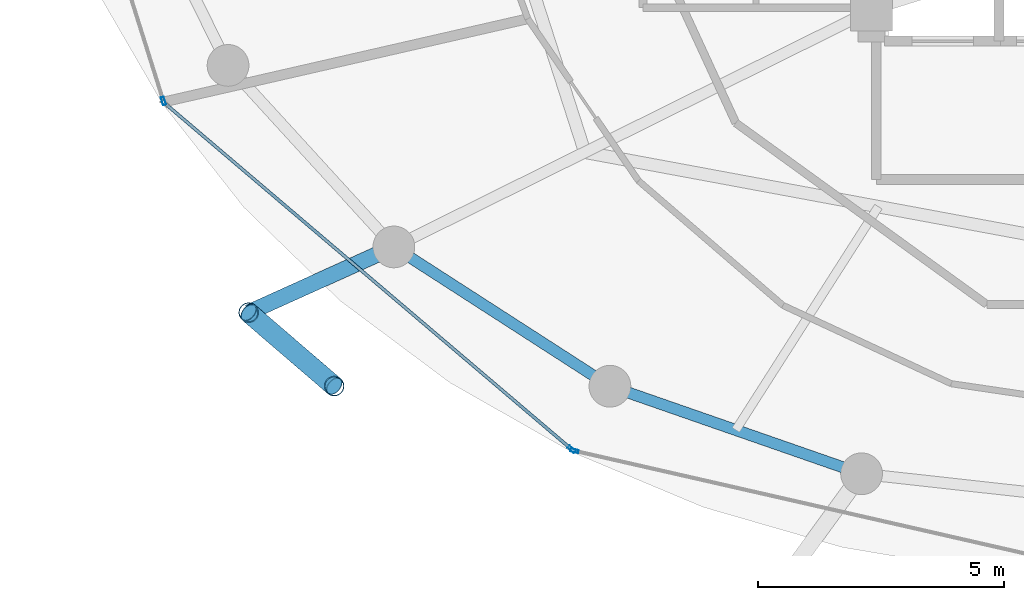
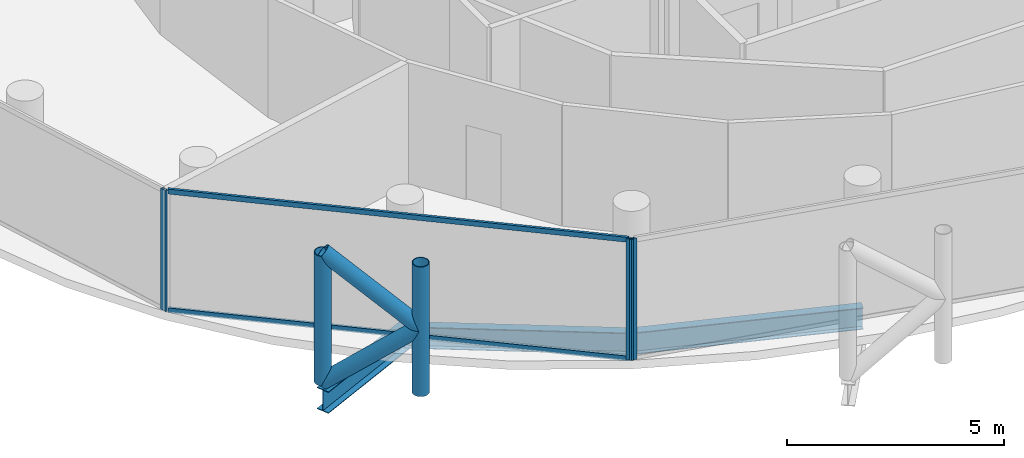
# One storey, part 2 of 27: 9 members, 3 beams, 3 elements without a shape of their own.
"""IFC4 building model written with IfcOpenShell, lengths in metres."""

from ifc_helpers import new_model, si_unit, direction, frame, origin, origin_2d, place, context, subcontext, project, spatial, hollow_rectangle, hollow_circle, i_section, extrude, material, layer, layer_set, material_profile, profile_set, type_object, element, aggregate, save


model = new_model("IFC4")

# Units and contexts
model_context = context("Model", 3, precision=1e-05, world=origin(), true_north=direction((0.0, 1.0)))
body_context = subcontext(model_context, "Body", "Model", "MODEL_VIEW")
ifc_project = project(units=[si_unit("LENGTHUNIT", "METRE"), si_unit("AREAUNIT", "SQUARE_METRE"), si_unit("VOLUMEUNIT", "CUBIC_METRE"), si_unit("PLANEANGLEUNIT", "RADIAN"), si_unit("MASSUNIT", "GRAM", prefix="KILO")], contexts=[model_context])

# Site, building, storey
site_placement = place(None, origin())
site = spatial("IfcSite", under=ifc_project, at=site_placement, CompositionType="ELEMENT")
building_placement = place(site_placement, origin())
building = spatial("IfcBuilding", under=site, at=building_placement, Name="Nuhasar Tower", CompositionType="ELEMENT")
storey_placement = place(building_placement, frame((0.0, 0.0, 211.800048828125)))
storey = spatial("IfcBuildingStorey", under=building, at=storey_placement, Name="L51", CompositionType="ELEMENT", Elevation=211.800048828125)

# Beams
ifc_material_1 = material(Name="Steel S355", Category="steel")
ifc_material_profile_1 = material_profile(ifc_material_1, i_section(OverallWidth=0.22802734375, OverallDepth=0.60791015625, WebThickness=0.01123046875, FlangeThickness=0.017333984375, at=origin_2d()), Name="W24X76")
ifc_profile_set_1 = profile_set([ifc_material_profile_1], Name="Steel S355")
beam_type_1 = type_object("IfcBeamType", Name="BM-RING-W24X76", PredefinedType="SPANDREL", material=ifc_profile_set_1)
beam_1_placement = place(storey_placement, frame((23.97412109375, 14.177978515625, -0.5439453125), z_axis=(0.840502144969, -0.541808217272, 0.0), x_axis=(0.541808217272, 0.840502144969, 0.0)))
element("IfcBeam", 1, at=beam_1_placement, inside=storey, type_object=beam_type_1, Name="L51 Perimeter Ring Spandrel 16", PredefinedType="SPANDREL", context=body_context, shape_type="SweptSolid", body=[
    extrude(i_section(OverallWidth=0.22802734375, OverallDepth=0.60791015625, WebThickness=0.01123046875, FlangeThickness=0.017333984375, at=origin_2d()), origin(), (0.0, 0.0, 1.0), 5.236083984375),
])
beam_2_placement = place(storey_placement, frame((28.375, 11.341064453125, -0.5439453125), z_axis=(0.944476764686, -0.328578211342, 0.0), x_axis=(0.328578211342, 0.944476764686, 0.0)))
element("IfcBeam", 2, at=beam_2_placement, inside=storey, type_object=beam_type_1, Name="L51 Perimeter Ring Spandrel 17", PredefinedType="SPANDREL", context=body_context, shape_type="SweptSolid", body=[
    extrude(i_section(OverallWidth=0.22802734375, OverallDepth=0.60791015625, WebThickness=0.01123046875, FlangeThickness=0.017333984375, at=origin_2d()), origin(), (0.0, 0.0, 1.0), 5.42626953125),
])
ifc_material_profile_2 = material_profile(ifc_material_1, i_section(OverallWidth=0.323974609375, OverallDepth=0.611083984375, WebThickness=0.0126953125, FlangeThickness=0.01904296875, at=origin_2d()), Name="W24X104")
ifc_profile_set_2 = profile_set([ifc_material_profile_2], Name="Steel S355")
beam_type_2 = type_object("IfcBeamType", Name="BM-TIE-W24X104", PredefinedType="BEAM", material=ifc_profile_set_2)
beam_3_placement = place(storey_placement, frame((23.97412109375, 14.177978515625, -0.545166015625), z_axis=(-0.911363318082, -0.411602845538, 0.0), x_axis=(0.411602845538, -0.911363318082, 0.0)))
element("IfcBeam", 3, at=beam_3_placement, inside=storey, type_object=beam_type_2, Name="L51 Exoskeleton Node Tie Beam 08", PredefinedType="BEAM", context=body_context, shape_type="SweptSolid", body=[
    extrude(i_section(OverallWidth=0.323974609375, OverallDepth=0.611083984375, WebThickness=0.0126953125, FlangeThickness=0.01904296875, at=origin_2d()), origin(), (0.0, 0.0, 1.0), 3.24560546875),
])

# Curtain wall, member
ifc_material_2 = material(Name="Aluminium 6063-T6", Category="aluminium")
ifc_layer = layer(ifc_material_2, 0.18994140625)
ifc_layer_set = layer_set([ifc_layer], Name="Aluminium 6063-T6")
curtain_wall_type = type_object("IfcCurtainWallType", Name="CW-Z3-RES", PredefinedType="NOTDEFINED", material=ifc_layer_set)
curtain_wall_1_placement = place(storey_placement, origin())
curtain_wall_1 = element("IfcCurtainWall", 4, at=curtain_wall_1_placement, inside=storey, type_object=curtain_wall_type, Name="L51 Unitised Curtain Wall 07", PredefinedType="NOTDEFINED")
ifc_material_profile_3 = material_profile(ifc_material_2, hollow_rectangle(XDim=0.06494140625, YDim=0.169921875, WallThickness=0.0048828125, at=origin_2d()), Name="CWM-4")
ifc_profile_set_3 = profile_set([ifc_material_profile_3], Name="Aluminium 6063-T6")
member_type_1 = type_object("IfcMemberType", Name="CW-MUL-S4", PredefinedType="MULLION", material=ifc_profile_set_3)
member_1_placement = place(storey_placement, frame((19.279296875, 17.15087890625, 0.0), z_axis=(0.0, 0.0, 1.0), x_axis=(0.95380429279, 0.30042864553, 0.0)))
member_1 = element("IfcMember", 5, at=member_1_placement, type_object=member_type_1, Name="CW-Z3 mullion 2", PredefinedType="MULLION", context=body_context, shape_type="SweptSolid", body=[
    extrude(hollow_rectangle(XDim=0.06494140625, YDim=0.169921875, WallThickness=0.0048828125, at=origin_2d()), origin(), (0.0, 0.0, 1.0), 3.409912109375),
])
aggregate(curtain_wall_1, [member_1])

curtain_wall_2_placement = place(storey_placement, origin())
curtain_wall_2 = element("IfcCurtainWall", 6, at=curtain_wall_2_placement, inside=storey, type_object=curtain_wall_type, Name="L51 Unitised Curtain Wall 08", PredefinedType="NOTDEFINED")
member_2_placement = place(storey_placement, frame((27.59521484375, 10.05517578125, 0.0), z_axis=(0.0, 0.0, 1.0), x_axis=(0.64789521578, 0.761729472562, 0.0)))
member_2 = element("IfcMember", 7, at=member_2_placement, type_object=member_type_1, Name="CW-Z3 mullion 2", PredefinedType="MULLION", context=body_context, shape_type="SweptSolid", body=[
    extrude(hollow_rectangle(XDim=0.06494140625, YDim=0.169921875, WallThickness=0.0048828125, at=origin_2d()), origin(), (0.0, 0.0, 1.0), 3.409912109375),
])

curtain_wall_3_placement = place(storey_placement, origin())
curtain_wall_3 = element("IfcCurtainWall", 8, at=curtain_wall_3_placement, inside=storey, type_object=curtain_wall_type, Name="L51 Unitised Curtain Wall 09", PredefinedType="NOTDEFINED")
member_3_placement = place(storey_placement, frame((27.651611328125, 10.02685546875, 0.0), z_axis=(0.0, 0.0, 1.0), x_axis=(0.222243176313, 0.974991266926, 0.0)))
member_3 = element("IfcMember", 9, at=member_3_placement, type_object=member_type_1, Name="CW-Z3 mullion 1", PredefinedType="MULLION", context=body_context, shape_type="SweptSolid", body=[
    extrude(hollow_rectangle(XDim=0.06494140625, YDim=0.169921875, WallThickness=0.0048828125, at=origin_2d()), origin(), (0.0, 0.0, 1.0), 3.409912109375),
])
aggregate(curtain_wall_3, [member_3])

# Member
ifc_material_profile_4 = material_profile(ifc_material_2, hollow_rectangle(XDim=0.06494140625, YDim=0.139892578125, WallThickness=0.00439453125, at=origin_2d()), Name="CWT-4")
ifc_profile_set_4 = profile_set([ifc_material_profile_4], Name="Aluminium 6063-T6")
member_type_2 = type_object("IfcMemberType", Name="CW-TRN-S4", PredefinedType="USERDEFINED", material=ifc_profile_set_4)
member_4_placement = place(storey_placement, frame((19.338623046875, 17.077880859375, 0.032470703125), z_axis=(0.761730809511, -0.647893643928, 0.0), x_axis=(0.647893643928, 0.761730809511, 0.0)))
member_4 = element("IfcMember", 10, at=member_4_placement, type_object=member_type_2, Name="CW-Z3 transom 1.1", ObjectType="TRANSOM", PredefinedType="USERDEFINED", context=body_context, shape_type="SweptSolid", body=[
    extrude(hollow_rectangle(XDim=0.06494140625, YDim=0.139892578125, WallThickness=0.00439453125, at=origin_2d()), origin(), (0.0, 0.0, 1.0), 10.806884765625),
])

member_5_placement = place(storey_placement, frame((19.338623046875, 17.077880859375, 3.37744140625), z_axis=(0.761730809511, -0.647893643928, 0.0), x_axis=(0.647893643928, 0.761730809511, 0.0)))
member_5 = element("IfcMember", 11, at=member_5_placement, type_object=member_type_2, Name="CW-Z3 transom 1.2", ObjectType="TRANSOM", PredefinedType="USERDEFINED", context=body_context, shape_type="SweptSolid", body=[
    extrude(hollow_rectangle(XDim=0.06494140625, YDim=0.139892578125, WallThickness=0.00439453125, at=origin_2d()), origin(), (0.0, 0.0, 1.0), 10.806884765625),
])

aggregate(curtain_wall_2, [member_2, member_4, member_5])

# Members
ifc_material_3 = material(Name="Steel S460", Category="steel")
ifc_material_profile_5 = material_profile(ifc_material_3, hollow_circle(Radius=0.203125, WallThickness=0.01904296875, at=origin_2d()), Name="HSS406.4X19.1")
ifc_profile_set_5 = profile_set([ifc_material_profile_5], Name="Steel S460")
member_type_3 = type_object("IfcMemberType", Name="EXO-BRONZE-406", PredefinedType="BRACE", material=ifc_profile_set_5)
for number, where, z_axis, x_axis, name in (
    (12, (21.01611328125, 12.842041015625, 0.0), (0.0, 0.0, 1.0), (1.0, 0.0, 0.0), "L51 Exoskeleton Chord Column EC-08A"),
    (13, (22.760009765625, 11.343017578125, 0.0), (0.0, 0.0, 1.0), (1.0, 0.0, 0.0), "L51 Exoskeleton Chord Column EC-08B"),
):
    element("IfcMember", number, at=place(storey_placement, frame(where, z_axis=z_axis, x_axis=x_axis)), inside=storey, type_object=member_type_3, Name=name, PredefinedType="BRACE", context=body_context, shape_type="SweptSolid", body=[
        extrude(hollow_circle(Radius=0.203125, WallThickness=0.01904296875, at=origin_2d()), origin(), (0.0, 0.0, 1.0), 3.64990234375),
    ])
for number, where, z_axis, x_axis, name in (
    (14, (21.01611328125, 12.842041015625, 0.0), (0.594018535389, -0.510608120858, 0.621627964725), (0.65185738425, 0.758341579104, 0.0), "L51 Bronze Diagrid Brace W1-08"),
    (15, (22.760009765625, 11.343017578125, 1.824951171875), (-0.594018535389, 0.510608120858, 0.621627964725), (-0.65185738425, -0.758341579104, 0.0), "L51 Bronze Diagrid Brace W2-08"),
):
    element("IfcMember", number, at=place(storey_placement, frame(where, z_axis=z_axis, x_axis=x_axis)), inside=storey, type_object=member_type_3, Name=name, PredefinedType="BRACE", context=body_context, shape_type="SweptSolid", body=[
        extrude(hollow_circle(Radius=0.203125, WallThickness=0.01904296875, at=origin_2d()), origin(), (0.0, 0.0, 1.0), 2.935791015625),
    ])

save(model, "model.ifc")
